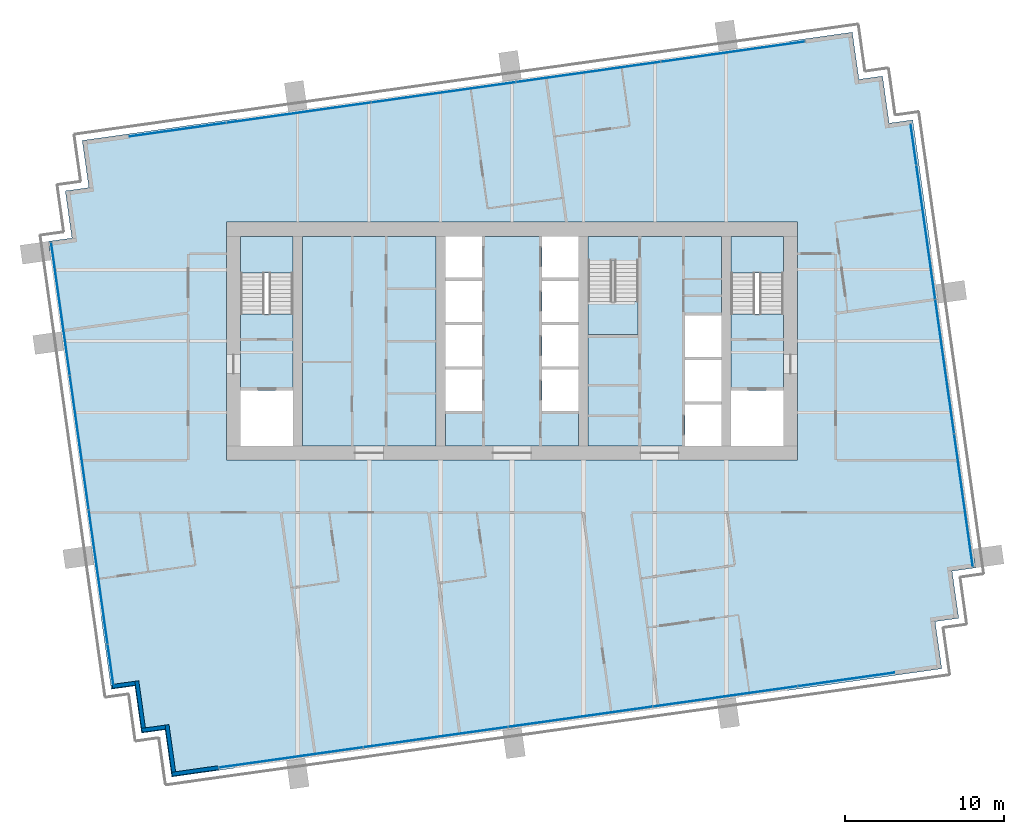
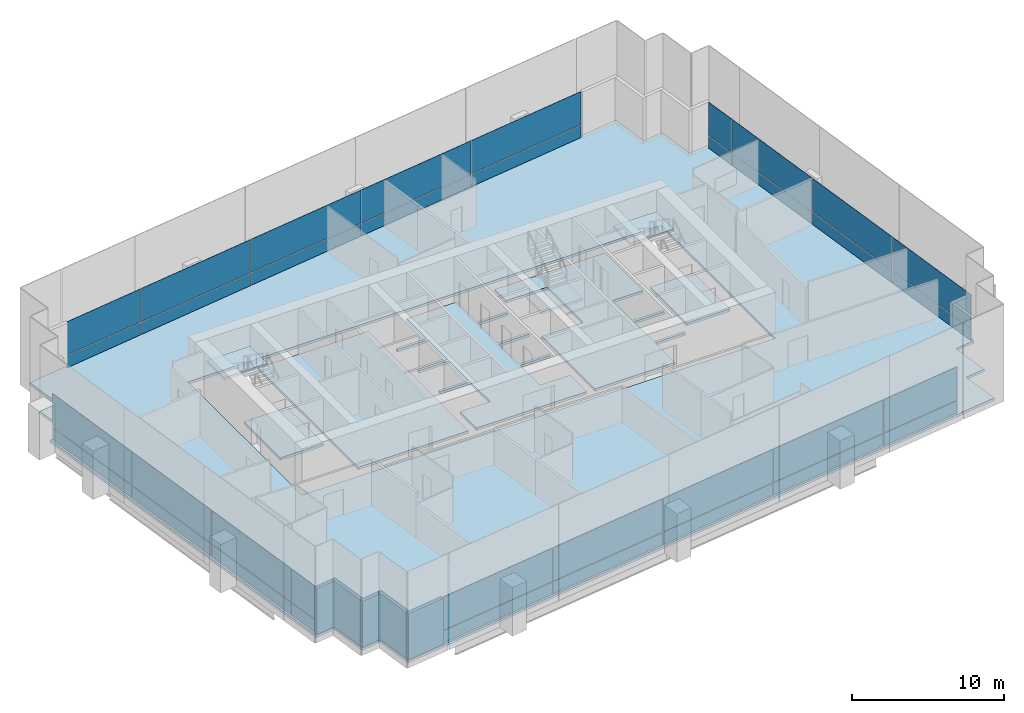
# One storey, part 8 of 17: 36 plates, 9 slabs, 5 walls, 7 elements without a shape of their own.
"""IFC4 building model written with IfcOpenShell, lengths in metres."""

from ifc_helpers import new_model, si_unit, direction, frame, frame_2d, origin, origin_2d, place, context, subcontext, project, spatial, polyline, rectangle, outline, extrude, material, layer, layer_set, type_object, element, aggregate, save


model = new_model("IFC4")

# Units and contexts
model_context = context("Model", 3, precision=1e-05, world=origin(), true_north=direction((0.0, 1.0)))
body_context = subcontext(model_context, "Body", "Model", "MODEL_VIEW")
ifc_project = project(units=[si_unit("LENGTHUNIT", "METRE"), si_unit("AREAUNIT", "SQUARE_METRE"), si_unit("VOLUMEUNIT", "CUBIC_METRE"), si_unit("PLANEANGLEUNIT", "RADIAN"), si_unit("MASSUNIT", "GRAM", prefix="KILO")], contexts=[model_context])

# Site, building, storey
site_placement = place(None, origin())
site = spatial("IfcSite", under=ifc_project, at=site_placement, CompositionType="ELEMENT")
building_placement = place(site_placement, origin())
building = spatial("IfcBuilding", under=site, at=building_placement, Name="Rattan Terrace Tower", CompositionType="ELEMENT")
storey_placement = place(building_placement, frame((0.0, 0.0, 191.89990234375)))
storey = spatial("IfcBuildingStorey", under=building, at=storey_placement, Name="L44", CompositionType="ELEMENT", Elevation=191.89990234375)

# Stair, slab
ifc_material_1 = material(Name="Concrete C40/50", Category="concrete")
stair_type = type_object("IfcStairType", Name="Core exit stair 1500", PredefinedType="HALF_TURN_STAIR", material=ifc_material_1)
stair_1_placement = place(storey_placement, origin())
stair_1 = element("IfcStair", 1, at=stair_1_placement, inside=storey, type_object=stair_type, Name="L44 exit stair 1", PredefinedType="HALF_TURN_STAIR")
ifc_material_2 = material(Name="Concrete C40/50", Category="concrete")
ifc_layer_1 = layer(ifc_material_2, 0.199951171875)
ifc_layer_set_1 = layer_set([ifc_layer_1], Name="Core exit stair landing")
slab_type_1 = type_object("IfcSlabType", Name="Core exit stair landing", PredefinedType="LANDING", material=ifc_layer_set_1)
slab_1_placement = place(storey_placement, frame((0.0, 0.0, 1.75)))
slab_1 = element("IfcSlab", 2, at=slab_1_placement, type_object=slab_type_1, Name="S1 landing 1", PredefinedType="LANDING", context=body_context, shape_type="SweptSolid", body=[
    extrude(outline(polyline([(-13.800048828125, 4.300048828125), (-13.800048828125, 6.60009765625), (-17.10009765625, 6.60009765625), (-17.10009765625, 4.300048828125), (-13.800048828125, 4.300048828125)])), origin(), (0.0, 0.0, 1.0), 0.2001953125),
])
aggregate(stair_1, [slab_1])

stair_2_placement = place(storey_placement, origin())
stair_2 = element("IfcStair", 3, at=stair_2_placement, inside=storey, type_object=stair_type, Name="L44 exit stair 2", PredefinedType="HALF_TURN_STAIR")
slab_2_placement = place(storey_placement, frame((0.0, 0.0, 1.75)))
slab_2 = element("IfcSlab", 4, at=slab_2_placement, type_object=slab_type_1, Name="S2 landing 1", PredefinedType="LANDING", context=body_context, shape_type="SweptSolid", body=[
    extrude(outline(polyline([(17.10009765625, 4.300048828125), (17.10009765625, 6.60009765625), (13.800048828125, 6.60009765625), (13.800048828125, 4.300048828125), (17.10009765625, 4.300048828125)])), origin(), (0.0, 0.0, 1.0), 0.2001953125),
])
aggregate(stair_2, [slab_2])

stair_3_placement = place(storey_placement, origin())
stair_3 = element("IfcStair", 5, at=stair_3_placement, inside=storey, type_object=stair_type, Name="L44 exit stair 3", PredefinedType="HALF_TURN_STAIR")
slab_3_placement = place(storey_placement, frame((0.0, 0.0, 1.75)))
slab_3 = element("IfcSlab", 6, at=slab_3_placement, type_object=slab_type_1, Name="S3 landing 1", PredefinedType="LANDING", context=body_context, shape_type="SweptSolid", body=[
    extrude(outline(polyline([(4.800048828125, 2.5), (4.800048828125, 0.39990234375), (7.949951171875, 0.39990234375), (7.949951171875, 2.5), (4.800048828125, 2.5)])), origin(), (0.0, 0.0, 1.0), 0.2001953125),
])
aggregate(stair_3, [slab_3])

# Curtain wall, plates
ifc_material_3 = material(Name="Aluminium and glass", Category="aluminium")
curtain_wall_type = type_object("IfcCurtainWallType", Name="Facade Unitised Curtain Wall", PredefinedType="NOTDEFINED", material=ifc_material_3)
curtain_wall_1_placement = place(storey_placement, origin())
curtain_wall_1 = element("IfcCurtainWall", 7, at=curtain_wall_1_placement, inside=storey, type_object=curtain_wall_type, Name="Curtain wall L44-1", PredefinedType="NOTDEFINED")
ifc_material_4 = material(Name="Aluminium insulated spandrel panel", Category="aluminium")
ifc_layer_2 = layer(ifc_material_4, 0.028076171875)
ifc_layer_set_2 = layer_set([ifc_layer_2], Name="Facade CW Spandrel Panel")
plate_type_1 = type_object("IfcPlateType", Name="Facade CW Spandrel Panel", PredefinedType="CURTAIN_PANEL", material=ifc_layer_set_2)
plate_1_placement = place(storey_placement, frame((28.447509765625, -10.037109375, 0.0), z_axis=(0.0, 0.0, 1.0), x_axis=(-0.139190856006, 0.99026557327, 0.0)))
plate_1 = element("IfcPlate", 8, at=plate_1_placement, type_object=plate_type_1, Name="Panel cwl-L44-001.1.1", PredefinedType="CURTAIN_PANEL", context=body_context, shape_type="SweptSolid", body=[
    extrude(rectangle(XDim=8.4150390625, YDim=0.028076171875, at=origin_2d()), origin(), (0.0, 0.0, 1.0), 0.969970703125),
])
plate_2_placement = place(storey_placement, frame((27.262451171875, -1.607421875, 0.0), z_axis=(0.0, 0.0, 1.0), x_axis=(-0.139190856006, 0.99026557327, 0.0)))
plate_2 = element("IfcPlate", 9, at=plate_2_placement, type_object=plate_type_1, Name="Panel cwl-L44-001.2.1", PredefinedType="CURTAIN_PANEL", context=body_context, shape_type="SweptSolid", body=[
    extrude(rectangle(XDim=8.489990234375, YDim=0.028076171875, at=origin_2d()), origin(), (0.0, 0.0, 1.0), 0.969970703125),
])
plate_3_placement = place(storey_placement, frame((26.072509765625, 6.859375, 0.0), z_axis=(0.0, 0.0, 1.0), x_axis=(-0.139190856006, 0.99026557327, 0.0)))
plate_3 = element("IfcPlate", 10, at=plate_3_placement, type_object=plate_type_1, Name="Panel cwl-L44-001.3.1", PredefinedType="CURTAIN_PANEL", context=body_context, shape_type="SweptSolid", body=[
    extrude(rectangle(XDim=8.489990234375, YDim=0.028076171875, at=origin_2d()), origin(), (0.0, 0.0, 1.0), 0.969970703125),
])
plate_4_placement = place(storey_placement, frame((25.29736328125, 12.372802734375, 0.0), z_axis=(0.0, 0.0, 1.0), x_axis=(-0.139190856006, 0.99026557327, 0.0)))
plate_4 = element("IfcPlate", 11, at=plate_4_placement, type_object=plate_type_1, Name="Panel cwl-L44-001.4.1", PredefinedType="CURTAIN_PANEL", context=body_context, shape_type="SweptSolid", body=[
    extrude(rectangle(XDim=2.525390625, YDim=0.028076171875, at=origin_2d()), origin(), (0.0, 0.0, 1.0), 0.969970703125),
])

curtain_wall_2_placement = place(storey_placement, origin())
curtain_wall_2 = element("IfcCurtainWall", 12, at=curtain_wall_2_placement, inside=storey, type_object=curtain_wall_type, Name="Curtain wall L44-2", PredefinedType="NOTDEFINED")
plate_5_placement = place(storey_placement, frame((13.920166015625, 18.233642578125, 0.0), z_axis=(0.0, 0.0, 1.0), x_axis=(-0.990269702686, -0.139161474347, 0.0)))
plate_5 = element("IfcPlate", 13, at=plate_5_placement, type_object=plate_type_1, Name="Panel cwl-L44-002.1.1", PredefinedType="CURTAIN_PANEL", context=body_context, shape_type="SweptSolid", body=[
    extrude(rectangle(XDim=9.123046875, YDim=0.028076171875, at=origin_2d()), origin(), (0.0, 0.0, 1.0), 0.969970703125),
])
plate_6_placement = place(storey_placement, frame((4.8115234375, 16.95361328125, 0.0), z_axis=(0.0, 0.0, 1.0), x_axis=(-0.990269702686, -0.139161474347, 0.0)))
plate_6 = element("IfcPlate", 14, at=plate_6_placement, type_object=plate_type_1, Name="Panel cwl-L44-002.2.1", PredefinedType="CURTAIN_PANEL", context=body_context, shape_type="SweptSolid", body=[
    extrude(rectangle(XDim=9.153076171875, YDim=0.028076171875, at=origin_2d()), origin(), (0.0, 0.0, 1.0), 0.969970703125),
])
plate_7_placement = place(storey_placement, frame((-4.311767578125, 15.67138671875, 0.0), z_axis=(0.0, 0.0, 1.0), x_axis=(-0.990269702686, -0.139161474347, 0.0)))
plate_7 = element("IfcPlate", 15, at=plate_7_placement, type_object=plate_type_1, Name="Panel cwl-L44-002.3.1", PredefinedType="CURTAIN_PANEL", context=body_context, shape_type="SweptSolid", body=[
    extrude(rectangle(XDim=9.153076171875, YDim=0.028076171875, at=origin_2d()), origin(), (0.0, 0.0, 1.0), 0.969970703125),
])
plate_8_placement = place(storey_placement, frame((-13.43505859375, 14.389404296875, 0.0), z_axis=(0.0, 0.0, 1.0), x_axis=(-0.990269702686, -0.139161474347, 0.0)))
plate_8 = element("IfcPlate", 16, at=plate_8_placement, type_object=plate_type_1, Name="Panel cwl-L44-002.4.1", PredefinedType="CURTAIN_PANEL", context=body_context, shape_type="SweptSolid", body=[
    extrude(rectangle(XDim=9.153076171875, YDim=0.028076171875, at=origin_2d()), origin(), (0.0, 0.0, 1.0), 0.969970703125),
])
plate_9_placement = place(storey_placement, frame((-21.055908203125, 13.318359375, 0.0), z_axis=(0.0, 0.0, 1.0), x_axis=(-0.990269702686, -0.139161474347, 0.0)))
plate_9 = element("IfcPlate", 17, at=plate_9_placement, type_object=plate_type_1, Name="Panel cwl-L44-002.5.1", PredefinedType="CURTAIN_PANEL", context=body_context, shape_type="SweptSolid", body=[
    extrude(rectangle(XDim=6.118408203125, YDim=0.028076171875, at=origin_2d()), origin(), (0.0, 0.0, 1.0), 0.969970703125),
])

curtain_wall_3_placement = place(storey_placement, origin())
curtain_wall_3 = element("IfcCurtainWall", 18, at=curtain_wall_3_placement, inside=storey, type_object=curtain_wall_type, Name="Curtain wall L44-3", PredefinedType="NOTDEFINED")
plate_10_placement = place(storey_placement, frame((-28.447509765625, 2.037109375, 0.0), z_axis=(0.0, 0.0, 1.0), x_axis=(0.139190856006, -0.99026557327, 0.0)))
plate_10 = element("IfcPlate", 19, at=plate_10_placement, type_object=plate_type_1, Name="Panel cwl-L44-003.1.1", PredefinedType="CURTAIN_PANEL", context=body_context, shape_type="SweptSolid", body=[
    extrude(rectangle(XDim=8.4150390625, YDim=0.028076171875, at=origin_2d()), origin(), (0.0, 0.0, 1.0), 0.969970703125),
])
plate_11_placement = place(storey_placement, frame((-27.262451171875, -6.392578125, 0.0), z_axis=(0.0, 0.0, 1.0), x_axis=(0.139190856006, -0.99026557327, 0.0)))
plate_11 = element("IfcPlate", 20, at=plate_11_placement, type_object=plate_type_1, Name="Panel cwl-L44-003.2.1", PredefinedType="CURTAIN_PANEL", context=body_context, shape_type="SweptSolid", body=[
    extrude(rectangle(XDim=8.489990234375, YDim=0.028076171875, at=origin_2d()), origin(), (0.0, 0.0, 1.0), 0.969970703125),
])
plate_12_placement = place(storey_placement, frame((-26.072509765625, -14.859375, 0.0), z_axis=(0.0, 0.0, 1.0), x_axis=(0.139190856006, -0.99026557327, 0.0)))
plate_12 = element("IfcPlate", 21, at=plate_12_placement, type_object=plate_type_1, Name="Panel cwl-L44-003.3.1", PredefinedType="CURTAIN_PANEL", context=body_context, shape_type="SweptSolid", body=[
    extrude(rectangle(XDim=8.489990234375, YDim=0.028076171875, at=origin_2d()), origin(), (0.0, 0.0, 1.0), 0.969970703125),
])
plate_13_placement = place(storey_placement, frame((-25.29736328125, -20.372802734375, 0.0), z_axis=(0.0, 0.0, 1.0), x_axis=(0.139190856006, -0.99026557327, 0.0)))
plate_13 = element("IfcPlate", 22, at=plate_13_placement, type_object=plate_type_1, Name="Panel cwl-L44-003.4.1", PredefinedType="CURTAIN_PANEL", context=body_context, shape_type="SweptSolid", body=[
    extrude(rectangle(XDim=2.525390625, YDim=0.028076171875, at=origin_2d()), origin(), (0.0, 0.0, 1.0), 0.969970703125),
])

curtain_wall_4_placement = place(storey_placement, origin())
curtain_wall_4 = element("IfcCurtainWall", 23, at=curtain_wall_4_placement, inside=storey, type_object=curtain_wall_type, Name="Curtain wall L44-4", PredefinedType="NOTDEFINED")
plate_14_placement = place(storey_placement, frame((-13.920166015625, -26.233642578125, 0.0), z_axis=(0.0, 0.0, 1.0), x_axis=(0.990269702686, 0.139161474347, 0.0)))
plate_14 = element("IfcPlate", 24, at=plate_14_placement, type_object=plate_type_1, Name="Panel cwl-L44-004.1.1", PredefinedType="CURTAIN_PANEL", context=body_context, shape_type="SweptSolid", body=[
    extrude(rectangle(XDim=9.123046875, YDim=0.028076171875, at=origin_2d()), origin(), (0.0, 0.0, 1.0), 0.969970703125),
])
plate_15_placement = place(storey_placement, frame((-4.8115234375, -24.95361328125, 0.0), z_axis=(0.0, 0.0, 1.0), x_axis=(0.990269702686, 0.139161474347, 0.0)))
plate_15 = element("IfcPlate", 25, at=plate_15_placement, type_object=plate_type_1, Name="Panel cwl-L44-004.2.1", PredefinedType="CURTAIN_PANEL", context=body_context, shape_type="SweptSolid", body=[
    extrude(rectangle(XDim=9.153076171875, YDim=0.028076171875, at=origin_2d()), origin(), (0.0, 0.0, 1.0), 0.969970703125),
])
plate_16_placement = place(storey_placement, frame((4.311767578125, -23.67138671875, 0.0), z_axis=(0.0, 0.0, 1.0), x_axis=(0.990269702686, 0.139161474347, 0.0)))
plate_16 = element("IfcPlate", 26, at=plate_16_placement, type_object=plate_type_1, Name="Panel cwl-L44-004.3.1", PredefinedType="CURTAIN_PANEL", context=body_context, shape_type="SweptSolid", body=[
    extrude(rectangle(XDim=9.153076171875, YDim=0.028076171875, at=origin_2d()), origin(), (0.0, 0.0, 1.0), 0.969970703125),
])
plate_17_placement = place(storey_placement, frame((13.43505859375, -22.389404296875, 0.0), z_axis=(0.0, 0.0, 1.0), x_axis=(0.990269702686, 0.139161474347, 0.0)))
plate_17 = element("IfcPlate", 27, at=plate_17_placement, type_object=plate_type_1, Name="Panel cwl-L44-004.4.1", PredefinedType="CURTAIN_PANEL", context=body_context, shape_type="SweptSolid", body=[
    extrude(rectangle(XDim=9.153076171875, YDim=0.028076171875, at=origin_2d()), origin(), (0.0, 0.0, 1.0), 0.969970703125),
])
plate_18_placement = place(storey_placement, frame((21.055908203125, -21.318359375, 0.0), z_axis=(0.0, 0.0, 1.0), x_axis=(0.990269702686, 0.139161474347, 0.0)))
plate_18 = element("IfcPlate", 28, at=plate_18_placement, type_object=plate_type_1, Name="Panel cwl-L44-004.5.1", PredefinedType="CURTAIN_PANEL", context=body_context, shape_type="SweptSolid", body=[
    extrude(rectangle(XDim=6.118408203125, YDim=0.028076171875, at=origin_2d()), origin(), (0.0, 0.0, 1.0), 0.969970703125),
])

# Plate
ifc_material_5 = material(Name="Clear low-iron glass", Category="glass")
ifc_layer_3 = layer(ifc_material_5, 0.028076171875)
ifc_layer_set_3 = layer_set([ifc_layer_3], Name="Facade CW Vision Panel")
plate_type_2 = type_object("IfcPlateType", Name="Facade CW Vision Panel", PredefinedType="CURTAIN_PANEL", material=ifc_layer_set_3)
plate_19_placement = place(storey_placement, frame((28.447509765625, -10.037109375, 1.030029296875), z_axis=(0.0, 0.0, 1.0), x_axis=(-0.139190856006, 0.99026557327, 0.0)))
plate_19 = element("IfcPlate", 29, at=plate_19_placement, type_object=plate_type_2, Name="Panel cwl-L44-001.1.2", PredefinedType="CURTAIN_PANEL", context=body_context, shape_type="SweptSolid", body=[
    extrude(rectangle(XDim=8.4150390625, YDim=0.028076171875, at=origin_2d()), origin(), (0.0, 0.0, 1.0), 2.669921875),
])

plate_20_placement = place(storey_placement, frame((27.262451171875, -1.607421875, 1.030029296875), z_axis=(0.0, 0.0, 1.0), x_axis=(-0.139190856006, 0.99026557327, 0.0)))
plate_20 = element("IfcPlate", 30, at=plate_20_placement, type_object=plate_type_2, Name="Panel cwl-L44-001.2.2", PredefinedType="CURTAIN_PANEL", context=body_context, shape_type="SweptSolid", body=[
    extrude(rectangle(XDim=8.489990234375, YDim=0.028076171875, at=origin_2d()), origin(), (0.0, 0.0, 1.0), 2.669921875),
])

plate_21_placement = place(storey_placement, frame((26.072509765625, 6.859375, 1.030029296875), z_axis=(0.0, 0.0, 1.0), x_axis=(-0.139190856006, 0.99026557327, 0.0)))
plate_21 = element("IfcPlate", 31, at=plate_21_placement, type_object=plate_type_2, Name="Panel cwl-L44-001.3.2", PredefinedType="CURTAIN_PANEL", context=body_context, shape_type="SweptSolid", body=[
    extrude(rectangle(XDim=8.489990234375, YDim=0.028076171875, at=origin_2d()), origin(), (0.0, 0.0, 1.0), 2.669921875),
])

plate_22_placement = place(storey_placement, frame((25.29736328125, 12.372802734375, 1.030029296875), z_axis=(0.0, 0.0, 1.0), x_axis=(-0.139190856006, 0.99026557327, 0.0)))
plate_22 = element("IfcPlate", 32, at=plate_22_placement, type_object=plate_type_2, Name="Panel cwl-L44-001.4.2", PredefinedType="CURTAIN_PANEL", context=body_context, shape_type="SweptSolid", body=[
    extrude(rectangle(XDim=2.525390625, YDim=0.028076171875, at=origin_2d()), origin(), (0.0, 0.0, 1.0), 2.669921875),
])

aggregate(curtain_wall_1, [plate_1, plate_19, plate_2, plate_20, plate_3, plate_21, plate_4, plate_22])

plate_23_placement = place(storey_placement, frame((13.920166015625, 18.233642578125, 1.030029296875), z_axis=(0.0, 0.0, 1.0), x_axis=(-0.990269702686, -0.139161474347, 0.0)))
plate_23 = element("IfcPlate", 33, at=plate_23_placement, type_object=plate_type_2, Name="Panel cwl-L44-002.1.2", PredefinedType="CURTAIN_PANEL", context=body_context, shape_type="SweptSolid", body=[
    extrude(rectangle(XDim=9.123046875, YDim=0.028076171875, at=origin_2d()), origin(), (0.0, 0.0, 1.0), 2.669921875),
])

plate_24_placement = place(storey_placement, frame((4.8115234375, 16.95361328125, 1.030029296875), z_axis=(0.0, 0.0, 1.0), x_axis=(-0.990269702686, -0.139161474347, 0.0)))
plate_24 = element("IfcPlate", 34, at=plate_24_placement, type_object=plate_type_2, Name="Panel cwl-L44-002.2.2", PredefinedType="CURTAIN_PANEL", context=body_context, shape_type="SweptSolid", body=[
    extrude(rectangle(XDim=9.153076171875, YDim=0.028076171875, at=origin_2d()), origin(), (0.0, 0.0, 1.0), 2.669921875),
])

plate_25_placement = place(storey_placement, frame((-4.311767578125, 15.67138671875, 1.030029296875), z_axis=(0.0, 0.0, 1.0), x_axis=(-0.990269702686, -0.139161474347, 0.0)))
plate_25 = element("IfcPlate", 35, at=plate_25_placement, type_object=plate_type_2, Name="Panel cwl-L44-002.3.2", PredefinedType="CURTAIN_PANEL", context=body_context, shape_type="SweptSolid", body=[
    extrude(rectangle(XDim=9.153076171875, YDim=0.028076171875, at=origin_2d()), origin(), (0.0, 0.0, 1.0), 2.669921875),
])

plate_26_placement = place(storey_placement, frame((-13.43505859375, 14.389404296875, 1.030029296875), z_axis=(0.0, 0.0, 1.0), x_axis=(-0.990269702686, -0.139161474347, 0.0)))
plate_26 = element("IfcPlate", 36, at=plate_26_placement, type_object=plate_type_2, Name="Panel cwl-L44-002.4.2", PredefinedType="CURTAIN_PANEL", context=body_context, shape_type="SweptSolid", body=[
    extrude(rectangle(XDim=9.153076171875, YDim=0.028076171875, at=origin_2d()), origin(), (0.0, 0.0, 1.0), 2.669921875),
])

plate_27_placement = place(storey_placement, frame((-21.055908203125, 13.318359375, 1.030029296875), z_axis=(0.0, 0.0, 1.0), x_axis=(-0.990269702686, -0.139161474347, 0.0)))
plate_27 = element("IfcPlate", 37, at=plate_27_placement, type_object=plate_type_2, Name="Panel cwl-L44-002.5.2", PredefinedType="CURTAIN_PANEL", context=body_context, shape_type="SweptSolid", body=[
    extrude(rectangle(XDim=6.118408203125, YDim=0.028076171875, at=origin_2d()), origin(), (0.0, 0.0, 1.0), 2.669921875),
])

aggregate(curtain_wall_2, [plate_5, plate_23, plate_6, plate_24, plate_7, plate_25, plate_8, plate_26, plate_9, plate_27])

plate_28_placement = place(storey_placement, frame((-28.447509765625, 2.037109375, 1.030029296875), z_axis=(0.0, 0.0, 1.0), x_axis=(0.139190856006, -0.99026557327, 0.0)))
plate_28 = element("IfcPlate", 38, at=plate_28_placement, type_object=plate_type_2, Name="Panel cwl-L44-003.1.2", PredefinedType="CURTAIN_PANEL", context=body_context, shape_type="SweptSolid", body=[
    extrude(rectangle(XDim=8.4150390625, YDim=0.028076171875, at=origin_2d()), origin(), (0.0, 0.0, 1.0), 2.669921875),
])

plate_29_placement = place(storey_placement, frame((-27.262451171875, -6.392578125, 1.030029296875), z_axis=(0.0, 0.0, 1.0), x_axis=(0.139190856006, -0.99026557327, 0.0)))
plate_29 = element("IfcPlate", 39, at=plate_29_placement, type_object=plate_type_2, Name="Panel cwl-L44-003.2.2", PredefinedType="CURTAIN_PANEL", context=body_context, shape_type="SweptSolid", body=[
    extrude(rectangle(XDim=8.489990234375, YDim=0.028076171875, at=origin_2d()), origin(), (0.0, 0.0, 1.0), 2.669921875),
])

plate_30_placement = place(storey_placement, frame((-26.072509765625, -14.859375, 1.030029296875), z_axis=(0.0, 0.0, 1.0), x_axis=(0.139190856006, -0.99026557327, 0.0)))
plate_30 = element("IfcPlate", 40, at=plate_30_placement, type_object=plate_type_2, Name="Panel cwl-L44-003.3.2", PredefinedType="CURTAIN_PANEL", context=body_context, shape_type="SweptSolid", body=[
    extrude(rectangle(XDim=8.489990234375, YDim=0.028076171875, at=origin_2d()), origin(), (0.0, 0.0, 1.0), 2.669921875),
])

plate_31_placement = place(storey_placement, frame((-25.29736328125, -20.372802734375, 1.030029296875), z_axis=(0.0, 0.0, 1.0), x_axis=(0.139190856006, -0.99026557327, 0.0)))
plate_31 = element("IfcPlate", 41, at=plate_31_placement, type_object=plate_type_2, Name="Panel cwl-L44-003.4.2", PredefinedType="CURTAIN_PANEL", context=body_context, shape_type="SweptSolid", body=[
    extrude(rectangle(XDim=2.525390625, YDim=0.028076171875, at=origin_2d()), origin(), (0.0, 0.0, 1.0), 2.669921875),
])

aggregate(curtain_wall_3, [plate_10, plate_28, plate_11, plate_29, plate_12, plate_30, plate_13, plate_31])

plate_32_placement = place(storey_placement, frame((-13.920166015625, -26.233642578125, 1.030029296875), z_axis=(0.0, 0.0, 1.0), x_axis=(0.990269702686, 0.139161474347, 0.0)))
plate_32 = element("IfcPlate", 42, at=plate_32_placement, type_object=plate_type_2, Name="Panel cwl-L44-004.1.2", PredefinedType="CURTAIN_PANEL", context=body_context, shape_type="SweptSolid", body=[
    extrude(rectangle(XDim=9.123046875, YDim=0.028076171875, at=origin_2d()), origin(), (0.0, 0.0, 1.0), 2.669921875),
])

plate_33_placement = place(storey_placement, frame((-4.8115234375, -24.95361328125, 1.030029296875), z_axis=(0.0, 0.0, 1.0), x_axis=(0.990269702686, 0.139161474347, 0.0)))
plate_33 = element("IfcPlate", 43, at=plate_33_placement, type_object=plate_type_2, Name="Panel cwl-L44-004.2.2", PredefinedType="CURTAIN_PANEL", context=body_context, shape_type="SweptSolid", body=[
    extrude(rectangle(XDim=9.153076171875, YDim=0.028076171875, at=origin_2d()), origin(), (0.0, 0.0, 1.0), 2.669921875),
])

plate_34_placement = place(storey_placement, frame((4.311767578125, -23.67138671875, 1.030029296875), z_axis=(0.0, 0.0, 1.0), x_axis=(0.990269702686, 0.139161474347, 0.0)))
plate_34 = element("IfcPlate", 44, at=plate_34_placement, type_object=plate_type_2, Name="Panel cwl-L44-004.3.2", PredefinedType="CURTAIN_PANEL", context=body_context, shape_type="SweptSolid", body=[
    extrude(rectangle(XDim=9.153076171875, YDim=0.028076171875, at=origin_2d()), origin(), (0.0, 0.0, 1.0), 2.669921875),
])

plate_35_placement = place(storey_placement, frame((13.43505859375, -22.389404296875, 1.030029296875), z_axis=(0.0, 0.0, 1.0), x_axis=(0.990269702686, 0.139161474347, 0.0)))
plate_35 = element("IfcPlate", 45, at=plate_35_placement, type_object=plate_type_2, Name="Panel cwl-L44-004.4.2", PredefinedType="CURTAIN_PANEL", context=body_context, shape_type="SweptSolid", body=[
    extrude(rectangle(XDim=9.153076171875, YDim=0.028076171875, at=origin_2d()), origin(), (0.0, 0.0, 1.0), 2.669921875),
])

plate_36_placement = place(storey_placement, frame((21.055908203125, -21.318359375, 1.030029296875), z_axis=(0.0, 0.0, 1.0), x_axis=(0.990269702686, 0.139161474347, 0.0)))
plate_36 = element("IfcPlate", 46, at=plate_36_placement, type_object=plate_type_2, Name="Panel cwl-L44-004.5.2", PredefinedType="CURTAIN_PANEL", context=body_context, shape_type="SweptSolid", body=[
    extrude(rectangle(XDim=6.118408203125, YDim=0.028076171875, at=origin_2d()), origin(), (0.0, 0.0, 1.0), 2.669921875),
])

aggregate(curtain_wall_4, [plate_14, plate_32, plate_15, plate_33, plate_16, plate_34, plate_17, plate_35, plate_18, plate_36])

# Slabs
ifc_material_6 = material(Name="Concrete C35/45", Category="concrete")
ifc_layer_4 = layer(ifc_material_6, 0.199951171875)
ifc_layer_set_4 = layer_set([ifc_layer_4], Name="Frame composite floor slab 200")
slab_type_2 = type_object("IfcSlabType", Name="Frame composite floor slab 200", PredefinedType="FLOOR", material=ifc_layer_set_4)
slab_4_placement = place(storey_placement, frame((0.0, 0.0, -0.199951171875)))
element("IfcSlab", 47, at=slab_4_placement, inside=storey, type_object=slab_type_2, Name="Floor slab", PredefinedType="FLOOR", context=body_context, shape_type="SweptSolid", body=[
    extrude(outline(polyline([(-18.472900390625, -27.044921875), (24.10888671875, -21.06103515625), (27.080078125, -20.64306640625), (26.662109375, -17.672119140625), (28.14794921875, -17.464111328125), (27.72998046875, -14.492919921875), (29.216064453125, -14.283935546875), (25.2490234375, 13.93896484375), (23.763916015625, 13.72998046875), (23.345947265625, 16.700927734375), (21.861083984375, 16.491943359375), (21.443115234375, 19.462890625), (18.472900390625, 19.044921875), (-24.10888671875, 13.06103515625), (-27.080078125, 12.64306640625), (-26.662109375, 9.672119140625), (-28.14794921875, 9.464111328125), (-27.72998046875, 6.492919921875), (-29.216064453125, 6.283935546875), (-25.2490234375, -21.93896484375), (-23.763916015625, -21.72998046875), (-23.345947265625, -24.700927734375), (-21.861083984375, -24.491943359375), (-21.443115234375, -27.462890625), (-18.472900390625, -27.044921875)]), holes=[polyline([(-18.0, -7.5), (18.0, -7.5), (18.0, -6.60009765625), (18.0, 6.60009765625), (18.0, 7.5), (-18.0, 7.5), (-18.0, 6.60009765625), (-18.0, -6.60009765625), (-18.0, -7.5)])]), origin(), (0.0, 0.0, 1.0), 0.199951171875),
])
slab_5_placement = place(storey_placement, frame((0.0, 0.0, -0.199951171875)))
element("IfcSlab", 48, at=slab_5_placement, inside=storey, type_object=slab_type_2, Name="Floor slab", PredefinedType="FLOOR", context=body_context, shape_type="SweptSolid", body=[
    extrude(outline(polyline([(13.199951171875, 6.60009765625), (4.800048828125, 6.60009765625), (4.800048828125, 5.090087890625), (7.949951171875, 5.090087890625), (7.949951171875, 0.39990234375), (4.800048828125, 0.39990234375), (4.800048828125, -6.60009765625), (10.89990234375, -6.60009765625), (10.89990234375, -4.0), (13.199951171875, -4.0), (13.199951171875, -3.800048828125), (10.89990234375, -3.800048828125), (10.89990234375, -1.199951171875), (13.199951171875, -1.199951171875), (13.199951171875, -1.0), (10.89990234375, -1.0), (10.89990234375, 1.60009765625), (13.199951171875, 1.60009765625), (13.199951171875, 6.60009765625)])), origin(), (0.0, 0.0, 1.0), 0.199951171875),
])
slab_6_placement = place(storey_placement, frame((0.0, 0.0, -0.199951171875)))
element("IfcSlab", 49, at=slab_6_placement, inside=storey, type_object=slab_type_2, Name="Floor slab", PredefinedType="FLOOR", context=body_context, shape_type="SweptSolid", body=[
    extrude(outline(polyline([(1.89990234375, 6.60009765625), (-1.89990234375, 6.60009765625), (-1.89990234375, 4.0), (-4.199951171875, 4.0), (-4.199951171875, 3.800048828125), (-1.89990234375, 3.800048828125), (-1.89990234375, 1.199951171875), (-4.199951171875, 1.199951171875), (-4.199951171875, 1.0), (-1.89990234375, 1.0), (-1.89990234375, -1.60009765625), (-4.199951171875, -1.60009765625), (-4.199951171875, -1.800048828125), (-1.89990234375, -1.800048828125), (-1.89990234375, -4.39990234375), (-4.199951171875, -4.39990234375), (-4.199951171875, -6.60009765625), (4.199951171875, -6.60009765625), (4.199951171875, -4.39990234375), (1.89990234375, -4.39990234375), (1.89990234375, -1.800048828125), (4.199951171875, -1.800048828125), (4.199951171875, -1.60009765625), (1.89990234375, -1.60009765625), (1.89990234375, 1.0), (4.199951171875, 1.0), (4.199951171875, 1.199951171875), (1.89990234375, 1.199951171875), (1.89990234375, 3.800048828125), (4.199951171875, 3.800048828125), (4.199951171875, 4.0), (1.89990234375, 4.0), (1.89990234375, 6.60009765625)])), origin(), (0.0, 0.0, 1.0), 0.199951171875),
])
slab_7_placement = place(storey_placement, frame((0.0, 0.0, -0.199951171875)))
element("IfcSlab", 50, at=slab_7_placement, inside=storey, type_object=slab_type_2, Name="Floor slab", PredefinedType="FLOOR", context=body_context, shape_type="SweptSolid", body=[
    extrude(outline(polyline([(-17.10009765625, -3.10009765625), (-13.800048828125, -3.10009765625), (-13.800048828125, 1.7099609375), (-17.10009765625, 1.7099609375), (-17.10009765625, -3.10009765625)])), origin(), (0.0, 0.0, 1.0), 0.199951171875),
])
slab_8_placement = place(storey_placement, frame((0.0, 0.0, -0.199951171875)))
element("IfcSlab", 51, at=slab_8_placement, inside=storey, type_object=slab_type_2, Name="Floor slab", PredefinedType="FLOOR", context=body_context, shape_type="SweptSolid", body=[
    extrude(outline(polyline([(-4.800048828125, -6.60009765625), (-4.800048828125, 6.60009765625), (-13.199951171875, 6.60009765625), (-13.199951171875, -6.60009765625), (-4.800048828125, -6.60009765625)])), origin(), (0.0, 0.0, 1.0), 0.199951171875),
])
slab_9_placement = place(storey_placement, frame((0.0, 0.0, -0.199951171875)))
element("IfcSlab", 52, at=slab_9_placement, inside=storey, type_object=slab_type_2, Name="Floor slab", PredefinedType="FLOOR", context=body_context, shape_type="SweptSolid", body=[
    extrude(outline(polyline([(13.800048828125, -3.10009765625), (17.10009765625, -3.10009765625), (17.10009765625, 1.7099609375), (13.800048828125, 1.7099609375), (13.800048828125, -3.10009765625)])), origin(), (0.0, 0.0, 1.0), 0.199951171875),
])

# Walls
ifc_material_7 = material(Name="Insulated aluminium-clad stud wall", Category="aluminium")
ifc_layer_5 = layer(ifc_material_7, 0.25)
ifc_layer_set_5 = layer_set([ifc_layer_5], Name="Facade Riser Wall 250")
wall_type = type_object("IfcWallType", Name="Facade Riser Wall 250", PredefinedType="SOLIDWALL", material=ifc_layer_set_5)
wall_1_placement = place(storey_placement, frame((-25.18359375, -21.758056640625, 0.0), z_axis=(0.0, 0.0, 1.0), x_axis=(0.9902493448, 0.13930626376, 0.0)))
element("IfcWall", 53, at=wall_1_placement, inside=storey, type_object=wall_type, Name="Riser wall L44-16", PredefinedType="SOLIDWALL", context=body_context, shape_type="SweptSolid", body=[
    extrude(rectangle(XDim=1.45458984375, YDim=0.25, at=frame_2d((0.727294921875, 0.0))), origin(), (0.0, 0.0, 1.0), 3.7001953125),
])
wall_2_placement = place(storey_placement, frame((-23.63671875, -21.414306640625, 0.0), z_axis=(0.0, 0.0, 1.0), x_axis=(0.139313431826, -0.990248336385, 0.0)))
element("IfcWall", 54, at=wall_2_placement, inside=storey, type_object=wall_type, Name="Riser wall L44-17", PredefinedType="SOLIDWALL", context=body_context, shape_type="SweptSolid", body=[
    extrude(rectangle(XDim=3.000244140625, YDim=0.25, at=frame_2d((1.5, 0.0))), origin(), (0.0, 0.0, 1.0), 3.7001953125),
])
wall_3_placement = place(storey_placement, frame((-23.3251953125, -24.5263671875, 0.0), z_axis=(0.0, 0.0, 1.0), x_axis=(0.990243596651, 0.13934711799, 0.0)))
element("IfcWall", 55, at=wall_3_placement, inside=storey, type_object=wall_type, Name="Riser wall L44-18", PredefinedType="SOLIDWALL", context=body_context, shape_type="SweptSolid", body=[
    extrude(rectangle(XDim=1.499755859375, YDim=0.25, at=frame_2d((0.75, 0.0))), origin(), (0.0, 0.0, 1.0), 3.7001953125),
])
wall_4_placement = place(storey_placement, frame((-21.733642578125, -24.17626953125, 0.0), z_axis=(0.0, 0.0, 1.0), x_axis=(0.139313431826, -0.990248336385, 0.0)))
element("IfcWall", 56, at=wall_4_placement, inside=storey, type_object=wall_type, Name="Riser wall L44-19", PredefinedType="SOLIDWALL", context=body_context, shape_type="SweptSolid", body=[
    extrude(rectangle(XDim=3.000244140625, YDim=0.25, at=frame_2d((1.5, 0.0))), origin(), (0.0, 0.0, 1.0), 3.7001953125),
])
wall_5_placement = place(storey_placement, frame((-21.422119140625, -27.288330078125, 0.0), z_axis=(0.0, 0.0, 1.0), x_axis=(0.990246427036, 0.139327002919, 0.0)))
element("IfcWall", 57, at=wall_5_placement, inside=storey, type_object=wall_type, Name="Riser wall L44-20", PredefinedType="SOLIDWALL", context=body_context, shape_type="SweptSolid", body=[
    extrude(rectangle(XDim=2.954345703125, YDim=0.25, at=frame_2d((1.47705078125, 0.0))), origin(), (0.0, 0.0, 1.0), 3.7001953125),
])

save(model, "model.ifc")
